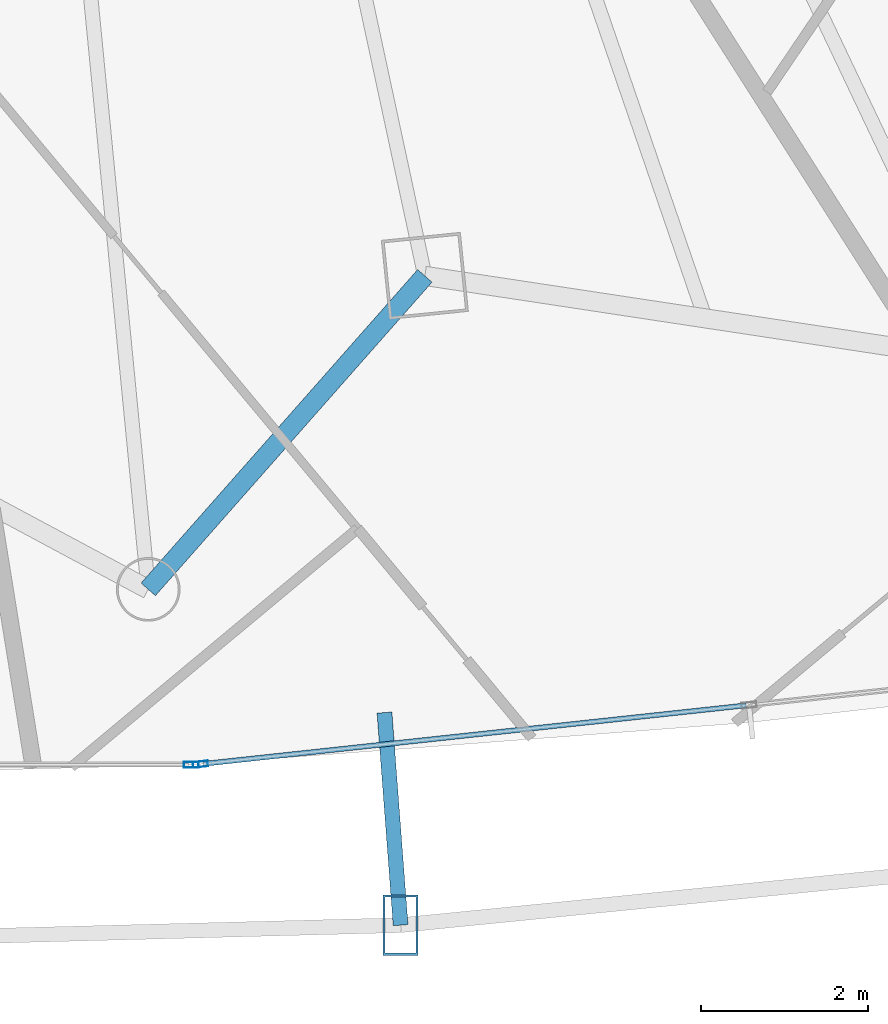
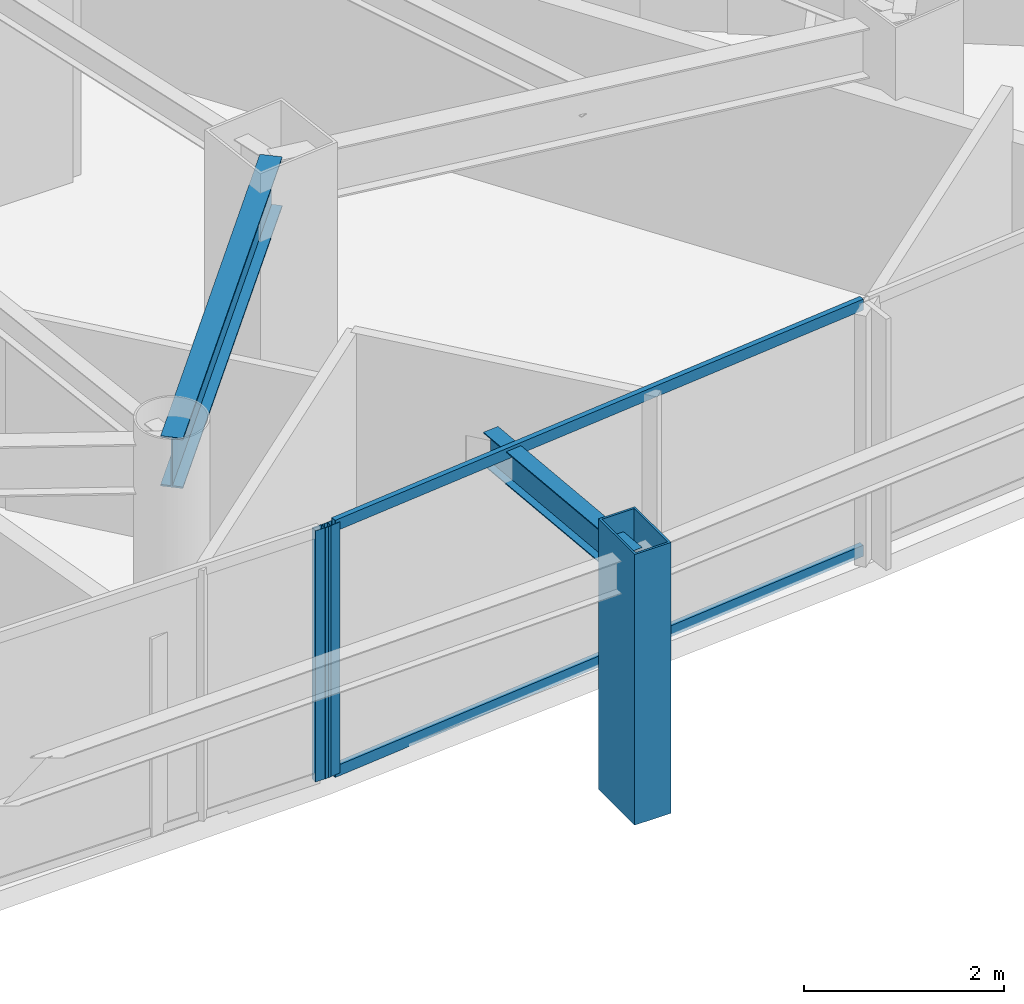
# One storey, part 13 of 38: 5 members, 2 beams, 2 elements without a shape of their own.
"""IFC4 building model written with IfcOpenShell, lengths in metres."""

from ifc_helpers import new_model, si_unit, direction, frame, origin, origin_2d, place, context, subcontext, project, spatial, hollow_rectangle, i_section, extrude, material, layer, layer_set, material_profile, profile_set, type_object, element, aggregate, save


model = new_model("IFC4")

# Units and contexts
model_context = context("Model", 3, precision=1e-05, world=origin(), true_north=direction((0.0, 1.0)))
body_context = subcontext(model_context, "Body", "Model", "MODEL_VIEW")
ifc_project = project(units=[si_unit("LENGTHUNIT", "METRE"), si_unit("AREAUNIT", "SQUARE_METRE"), si_unit("VOLUMEUNIT", "CUBIC_METRE"), si_unit("PLANEANGLEUNIT", "RADIAN"), si_unit("MASSUNIT", "GRAM", prefix="KILO")], contexts=[model_context])

# Site, building, storey
site_placement = place(None, origin())
site = spatial("IfcSite", under=ifc_project, at=site_placement, CompositionType="ELEMENT")
building_placement = place(site_placement, origin())
building = spatial("IfcBuilding", under=site, at=building_placement, Name="Orvanel Arch Residences", CompositionType="ELEMENT")
storey_placement = place(building_placement, frame((0.0, 0.0, 43.39990234375)))
storey = spatial("IfcBuildingStorey", under=building, at=storey_placement, Name="L11", CompositionType="ELEMENT", Elevation=43.39990234375)

# Member
ifc_material_1 = material(Name="Structural steel AS/NZS 3678 Grade 350", Category="steel")
ifc_material_profile_1 = material_profile(ifc_material_1, hollow_rectangle(XDim=0.419921875, YDim=0.719970703125, WallThickness=0.02490234375, at=origin_2d()), Name="RHS720x420x25")
ifc_profile_set_1 = profile_set([ifc_material_profile_1], Name="Structural steel AS/NZS 3678 Grade 350")
member_type_1 = type_object("IfcMemberType", Name="CH-720RHS-EXT", PredefinedType="CHORD", material=ifc_profile_set_1)
member_1_placement = place(storey_placement, frame((42.06103515625, -0.412109375, 0.0), z_axis=(0.0, 0.0, 1.0), x_axis=(1.0, 0.0, 0.0)))
element("IfcMember", 1, at=member_1_placement, inside=storey, type_object=member_type_1, Name="L11 Outer Perimeter Frame Post 07", PredefinedType="CHORD", context=body_context, shape_type="SweptSolid", body=[
    extrude(hollow_rectangle(XDim=0.419921875, YDim=0.719970703125, WallThickness=0.02490234375, at=origin_2d()), origin(), (0.0, 0.0, 1.0), 3.300048828125),
])

# Curtain wall, member
ifc_material_2 = material(Name="Bronze-anodised aluminium AA6063-T6", Category="aluminium")
ifc_layer = layer(ifc_material_2, 0.179931640625)
ifc_layer_set = layer_set([ifc_layer], Name="Bronze-anodised aluminium AA6063-T6")
curtain_wall_type = type_object("IfcCurtainWallType", Name="CW2-LOW-SYS", PredefinedType="NOTDEFINED", material=ifc_layer_set)
curtain_wall_1_placement = place(storey_placement, origin())
curtain_wall_1 = element("IfcCurtainWall", 2, at=curtain_wall_1_placement, inside=storey, type_object=curtain_wall_type, Name="L11 CW2-LOW-SYS Unitised Curtain Wall", PredefinedType="NOTDEFINED")
ifc_material_profile_2 = material_profile(ifc_material_2, hollow_rectangle(XDim=0.070068359375, YDim=0.179931640625, WallThickness=0.00439453125, at=origin_2d()), Name="ALU180x70x4.5")
ifc_profile_set_2 = profile_set([ifc_material_profile_2], Name="Bronze-anodised aluminium AA6063-T6")
member_type_2 = type_object("IfcMemberType", Name="MUL-180x70", PredefinedType="MULLION", material=ifc_profile_set_2)
member_2_placement = place(storey_placement, frame((39.555908203125, 1.508056640625, 0.0), z_axis=(0.0, 0.0, 1.0), x_axis=(0.0, 1.0, 0.0)))
member_2 = element("IfcMember", 3, at=member_2_placement, type_object=member_type_2, Name="CW-S2 mullion 3", PredefinedType="MULLION", context=body_context, shape_type="SweptSolid", body=[
    extrude(hollow_rectangle(XDim=0.070068359375, YDim=0.179931640625, WallThickness=0.00439453125, at=origin_2d()), origin(), (0.0, 0.0, 1.0), 3.06005859375),
])
aggregate(curtain_wall_1, [member_2])

curtain_wall_2_placement = place(storey_placement, origin())
curtain_wall_2 = element("IfcCurtainWall", 4, at=curtain_wall_2_placement, inside=storey, type_object=curtain_wall_type, Name="L11 CW2-LOW-SYS Unitised Curtain Wall", PredefinedType="NOTDEFINED")
member_3_placement = place(storey_placement, frame((39.665771484375, 1.513671875, 0.0), z_axis=(0.0, 0.0, 1.0), x_axis=(-0.107139659052, 0.994243980851, 0.0)))
member_3 = element("IfcMember", 5, at=member_3_placement, type_object=member_type_2, Name="CW-S2 mullion 1", PredefinedType="MULLION", context=body_context, shape_type="SweptSolid", body=[
    extrude(hollow_rectangle(XDim=0.070068359375, YDim=0.179931640625, WallThickness=0.00439453125, at=origin_2d()), origin(), (0.0, 0.0, 1.0), 3.06005859375),
])

# Beams
ifc_material_3 = material(Name="Structural steel AS/NZS 3679.1 Grade 300 (300 MPa)", Category="steel")
ifc_material_profile_3 = material_profile(ifc_material_3, i_section(OverallWidth=0.177978515625, OverallDepth=0.406005859375, WebThickness=0.0078125, FlangeThickness=0.0126953125, at=origin_2d()), Name="410UB59.7")
ifc_profile_set_3 = profile_set([ifc_material_profile_3], Name="Structural steel AS/NZS 3679.1 Grade 300 (300 MPa)")
beam_type_1 = type_object("IfcBeamType", Name="OB-410UB-EXT", PredefinedType="SPANDREL", material=ifc_profile_set_3)
beam_1_placement = place(storey_placement, frame((41.867919921875, 2.131103515625, 2.857177734375), z_axis=(0.075715599319, -0.997129453993, 0.0), x_axis=(0.997129453993, 0.075715599319, 0.0)))
element("IfcBeam", 6, at=beam_1_placement, inside=storey, type_object=beam_type_1, Name="L11 Outer Frame Radial Tie Beam 07", PredefinedType="SPANDREL", context=body_context, shape_type="SweptSolid", body=[
    extrude(i_section(OverallWidth=0.177978515625, OverallDepth=0.406005859375, WebThickness=0.0078125, FlangeThickness=0.0126953125, at=origin_2d()), origin(), (0.0, 0.0, 1.0), 2.550537109375),
])
ifc_material_profile_4 = material_profile(ifc_material_3, i_section(OverallWidth=0.22900390625, OverallDepth=0.612060546875, WebThickness=0.011962890625, FlangeThickness=0.01953125, at=origin_2d()), Name="610UB125")
ifc_profile_set_4 = profile_set([ifc_material_profile_4], Name="Structural steel AS/NZS 3679.1 Grade 300 (300 MPa)")
beam_type_2 = type_object("IfcBeamType", Name="SP-610UB", PredefinedType="SPANDREL", material=ifc_profile_set_4)
beam_2_placement = place(storey_placement, frame((39.0419921875, 3.60498046875, 2.754150390625), z_axis=(0.661650698195, 0.749812212209, 0.0), x_axis=(-0.749812212209, 0.661650698195, 0.0)))
element("IfcBeam", 7, at=beam_2_placement, inside=storey, type_object=beam_type_2, Name="L11 Perimeter Spandrel Beam 08", PredefinedType="SPANDREL", context=body_context, shape_type="SweptSolid", body=[
    extrude(i_section(OverallWidth=0.22900390625, OverallDepth=0.612060546875, WebThickness=0.011962890625, FlangeThickness=0.01953125, at=origin_2d()), origin(), (0.0, 0.0, 1.0), 5.001220703125),
])

# Member
ifc_material_profile_5 = material_profile(ifc_material_2, hollow_rectangle(XDim=0.06005859375, YDim=0.135009765625, WallThickness=0.00390625, at=origin_2d()), Name="ALU135x60x4")
ifc_profile_set_5 = profile_set([ifc_material_profile_5], Name="Bronze-anodised aluminium AA6063-T6")
member_type_3 = type_object("IfcMemberType", Name="TRN-135x60", PredefinedType="USERDEFINED", material=ifc_profile_set_5)
member_4_placement = place(storey_placement, frame((39.70068359375, 1.517578125, 0.030029296875), z_axis=(0.994244342354, 0.107136304289, 0.0), x_axis=(-0.107136304289, 0.994244342354, 0.0)))
member_4 = element("IfcMember", 8, at=member_4_placement, type_object=member_type_3, Name="CW-S2 transom 1.1", ObjectType="TRANSOM", PredefinedType="USERDEFINED", context=body_context, shape_type="SweptSolid", body=[
    extrude(hollow_rectangle(XDim=0.06005859375, YDim=0.135009765625, WallThickness=0.00390625, at=origin_2d()), origin(), (0.0, 0.0, 1.0), 6.531005859375),
])

member_5_placement = place(storey_placement, frame((39.70068359375, 1.517578125, 3.030029296875), z_axis=(0.994244342354, 0.107136304289, 0.0), x_axis=(-0.107136304289, 0.994244342354, 0.0)))
member_5 = element("IfcMember", 9, at=member_5_placement, type_object=member_type_3, Name="CW-S2 transom 1.2", ObjectType="TRANSOM", PredefinedType="USERDEFINED", context=body_context, shape_type="SweptSolid", body=[
    extrude(hollow_rectangle(XDim=0.06005859375, YDim=0.135009765625, WallThickness=0.00390625, at=origin_2d()), origin(), (0.0, 0.0, 1.0), 6.531005859375),
])

aggregate(curtain_wall_2, [member_3, member_4, member_5])

save(model, "model.ifc")
